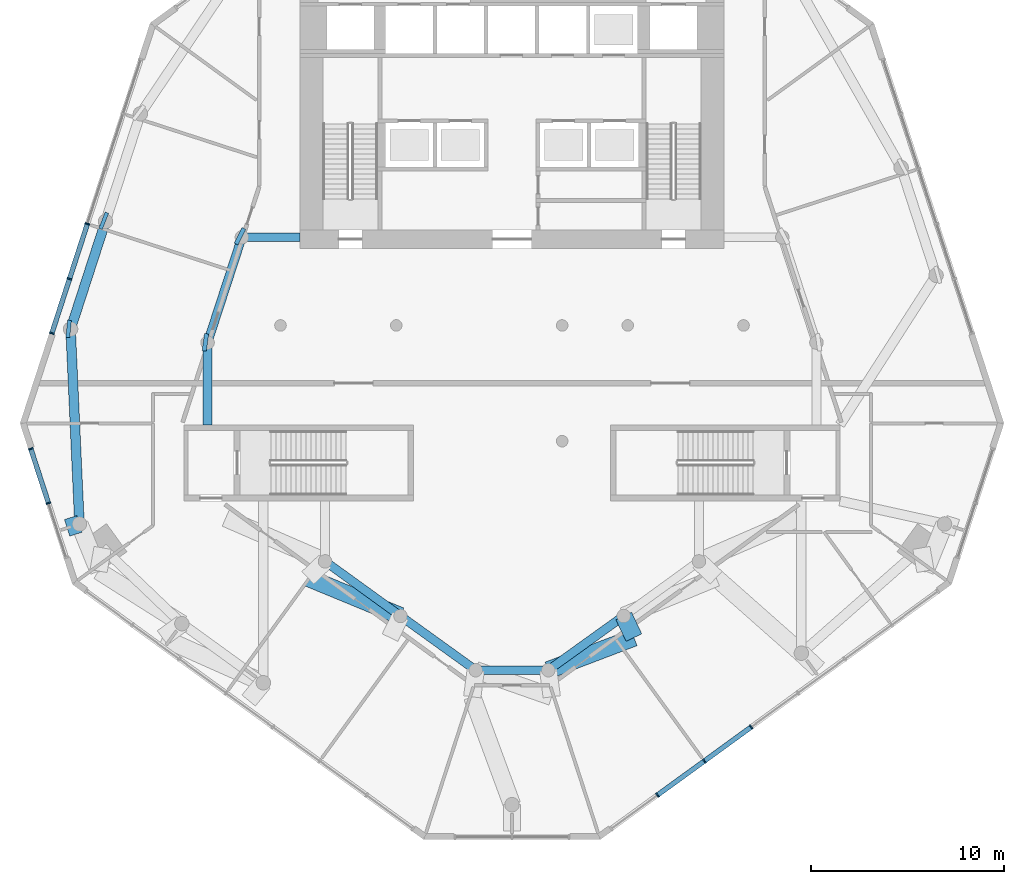
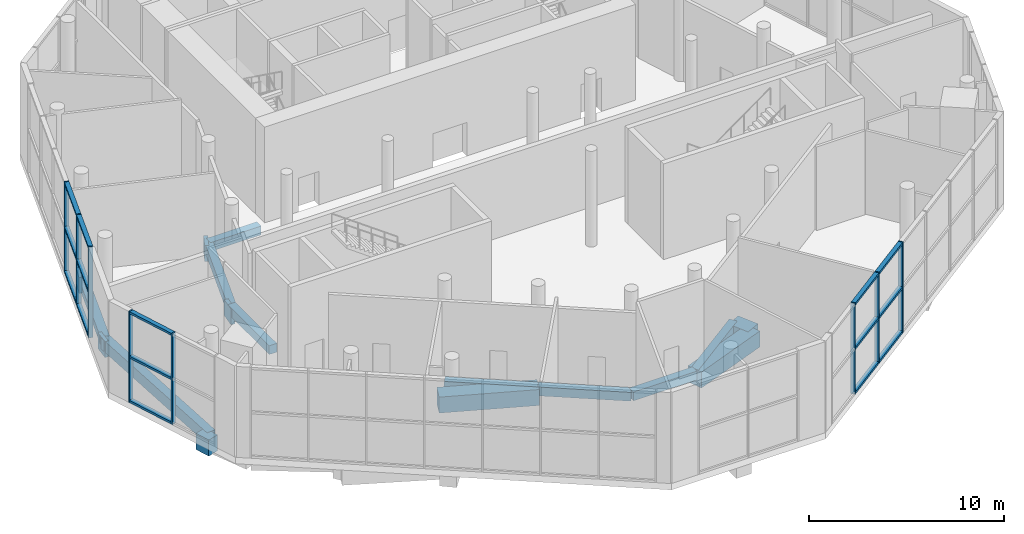
# One storey, part 3 of 14: 23 members, 17 beams, 3 elements without a shape of their own.
"""IFC4 building model written with IfcOpenShell, lengths in metres."""

from ifc_helpers import new_model, si_unit, direction, frame, origin, origin_2d, place, context, subcontext, project, spatial, rectangle, extrude, material, material_profile, profile_set, type_object, element, aggregate, save


model = new_model("IFC4")

# Units and contexts
model_context = context("Model", 3, precision=1e-05, world=origin(), true_north=direction((0.0, 1.0)))
body_context = subcontext(model_context, "Body", "Model", "MODEL_VIEW")
ifc_project = project(units=[si_unit("LENGTHUNIT", "METRE"), si_unit("AREAUNIT", "SQUARE_METRE"), si_unit("VOLUMEUNIT", "CUBIC_METRE"), si_unit("PLANEANGLEUNIT", "RADIAN"), si_unit("MASSUNIT", "GRAM", prefix="KILO")], contexts=[model_context])

# Site, building, storey
site_placement = place(None, origin())
site = spatial("IfcSite", under=ifc_project, at=site_placement, CompositionType="ELEMENT")
building_placement = place(site_placement, origin())
building = spatial("IfcBuilding", under=site, at=building_placement, Name="White Candle Pilgrim Tower", CompositionType="ELEMENT")
storey_placement = place(building_placement, frame((0.0, 0.0, 142.60009765625)))
storey = spatial("IfcBuildingStorey", under=building, at=storey_placement, Name="L32", CompositionType="ELEMENT", Elevation=142.60009765625)

# Curtain wall, members
ifc_material_1 = material(Name="Aluminium and glass", Category="aluminium")
curtain_wall_type = type_object("IfcCurtainWallType", Name="Curtain wall CW4 sky floor glazing", PredefinedType="NOTDEFINED", material=ifc_material_1)
curtain_wall_1_placement = place(storey_placement, origin())
curtain_wall_1 = element("IfcCurtainWall", 1, at=curtain_wall_1_placement, inside=storey, type_object=curtain_wall_type, Name="Curtain wall CW4 L32 W chamfer", PredefinedType="NOTDEFINED")
ifc_material_2 = material(Name="Aluminium", Category="aluminium")
ifc_material_profile_1 = material_profile(ifc_material_2, rectangle(XDim=0.25, YDim=0.080078125, at=origin_2d()), Name="CW4 mullion 80x250")
ifc_profile_set_1 = profile_set([ifc_material_profile_1], Name="Aluminium")
member_type_1 = type_object("IfcMemberType", Name="CW4 mullion 80x250", PredefinedType="MULLION", material=ifc_profile_set_1)
member_1_placement = place(storey_placement, frame((45.05712890625, 60.6064453125, 0.0), z_axis=(0.0, 0.0, 1.0), x_axis=(0.951056508674, 0.309017017829, 0.0)))
member_1 = element("IfcMember", 2, at=member_1_placement, type_object=member_type_1, Name="CW4 mullion 1", PredefinedType="MULLION", context=body_context, shape_type="SweptSolid", body=[
    extrude(rectangle(XDim=0.25, YDim=0.080078125, at=origin_2d()), origin(), (0.0, 0.0, 1.0), 5.699951171875),
])
member_2_placement = place(storey_placement, frame((45.971923828125, 57.791259765625, 0.0), z_axis=(0.0, 0.0, 1.0), x_axis=(0.951056508674, 0.309017017829, 0.0)))
member_2 = element("IfcMember", 3, at=member_2_placement, type_object=member_type_1, Name="CW4 mullion 2", PredefinedType="MULLION", context=body_context, shape_type="SweptSolid", body=[
    extrude(rectangle(XDim=0.25, YDim=0.080078125, at=origin_2d()), origin(), (0.0, 0.0, 1.0), 5.699951171875),
])

curtain_wall_2_placement = place(storey_placement, origin())
curtain_wall_2 = element("IfcCurtainWall", 4, at=curtain_wall_2_placement, inside=storey, type_object=curtain_wall_type, Name="Curtain wall CW4 L32 SE", PredefinedType="NOTDEFINED")
member_3_placement = place(storey_placement, frame((77.54248046875, 42.657958984375, 0.0), z_axis=(0.0, 0.0, 1.0), x_axis=(-0.587785245924, 0.809016999002, 0.0)))
member_3 = element("IfcMember", 5, at=member_3_placement, type_object=member_type_1, Name="CW4 mullion 2", PredefinedType="MULLION", context=body_context, shape_type="SweptSolid", body=[
    extrude(rectangle(XDim=0.25, YDim=0.080078125, at=origin_2d()), origin(), (0.0, 0.0, 1.0), 5.699951171875),
])
member_4_placement = place(storey_placement, frame((79.969482421875, 44.42138671875, 0.0), z_axis=(0.0, 0.0, 1.0), x_axis=(-0.587785245924, 0.809016999002, 0.0)))
member_4 = element("IfcMember", 6, at=member_4_placement, type_object=member_type_1, Name="CW4 mullion 3", PredefinedType="MULLION", context=body_context, shape_type="SweptSolid", body=[
    extrude(rectangle(XDim=0.25, YDim=0.080078125, at=origin_2d()), origin(), (0.0, 0.0, 1.0), 5.699951171875),
])
member_5_placement = place(storey_placement, frame((82.396728515625, 46.184814453125, 0.0), z_axis=(0.0, 0.0, 1.0), x_axis=(-0.587785245924, 0.809016999002, 0.0)))
member_5 = element("IfcMember", 7, at=member_5_placement, type_object=member_type_1, Name="CW4 mullion 4", PredefinedType="MULLION", context=body_context, shape_type="SweptSolid", body=[
    extrude(rectangle(XDim=0.25, YDim=0.080078125, at=origin_2d()), origin(), (0.0, 0.0, 1.0), 5.699951171875),
])

curtain_wall_3_placement = place(storey_placement, origin())
curtain_wall_3 = element("IfcCurtainWall", 8, at=curtain_wall_3_placement, inside=storey, type_object=curtain_wall_type, Name="Curtain wall CW4 L32 WNW", PredefinedType="NOTDEFINED")
member_6_placement = place(storey_placement, frame((47.98974609375, 72.263427734375, 0.0), z_axis=(0.0, 0.0, 1.0), x_axis=(0.951056511085, -0.30901701041, 0.0)))
member_6 = element("IfcMember", 9, at=member_6_placement, type_object=member_type_1, Name="CW4 mullion 4", PredefinedType="MULLION", context=body_context, shape_type="SweptSolid", body=[
    extrude(rectangle(XDim=0.25, YDim=0.080078125, at=origin_2d()), origin(), (0.0, 0.0, 1.0), 5.699951171875),
])
member_7_placement = place(storey_placement, frame((47.062744140625, 69.410400390625, 0.0), z_axis=(0.0, 0.0, 1.0), x_axis=(0.951056511085, -0.30901701041, 0.0)))
member_7 = element("IfcMember", 10, at=member_7_placement, type_object=member_type_1, Name="CW4 mullion 5", PredefinedType="MULLION", context=body_context, shape_type="SweptSolid", body=[
    extrude(rectangle(XDim=0.25, YDim=0.080078125, at=origin_2d()), origin(), (0.0, 0.0, 1.0), 5.699951171875),
])
member_8_placement = place(storey_placement, frame((46.14794921875, 66.59521484375, 0.0), z_axis=(0.0, 0.0, 1.0), x_axis=(0.951056511085, -0.30901701041, 0.0)))
member_8 = element("IfcMember", 11, at=member_8_placement, type_object=member_type_1, Name="CW4 mullion 6", PredefinedType="MULLION", context=body_context, shape_type="SweptSolid", body=[
    extrude(rectangle(XDim=0.25, YDim=0.080078125, at=origin_2d()), origin(), (0.0, 0.0, 1.0), 5.699951171875),
])

# Member
ifc_material_profile_2 = material_profile(ifc_material_2, rectangle(XDim=0.25, YDim=0.139892578125, at=origin_2d()), Name="CW4 transom 140x250")
ifc_profile_set_2 = profile_set([ifc_material_profile_2], Name="Aluminium")
member_type_2 = type_object("IfcMemberType", Name="CW4 transom 140x250", PredefinedType="USERDEFINED", material=ifc_profile_set_2)
member_9_placement = place(storey_placement, frame((45.069580078125, 60.568359375, 0.06982421875), z_axis=(0.308995979141, -0.951063344302, 0.0), x_axis=(0.951063344302, 0.308995979141, 0.0)))
member_9 = element("IfcMember", 12, at=member_9_placement, type_object=member_type_2, Name="CW4 transom 1.1", ObjectType="TRANSOM", PredefinedType="USERDEFINED", context=body_context, shape_type="SweptSolid", body=[
    extrude(rectangle(XDim=0.25, YDim=0.139892578125, at=origin_2d()), origin(), (0.0, 0.0, 1.0), 2.8798828125),
])

member_10_placement = place(storey_placement, frame((45.069580078125, 60.568359375, 2.849853515625), z_axis=(0.308995979141, -0.951063344302, 0.0), x_axis=(0.951063344302, 0.308995979141, 0.0)))
member_10 = element("IfcMember", 13, at=member_10_placement, type_object=member_type_2, Name="CW4 transom 1.2", ObjectType="TRANSOM", PredefinedType="USERDEFINED", context=body_context, shape_type="SweptSolid", body=[
    extrude(rectangle(XDim=0.25, YDim=0.139892578125, at=origin_2d()), origin(), (0.0, 0.0, 1.0), 2.8798828125),
])

member_11_placement = place(storey_placement, frame((45.069580078125, 60.568359375, 5.6298828125), z_axis=(0.308995979141, -0.951063344302, 0.0), x_axis=(0.951063344302, 0.308995979141, 0.0)))
member_11 = element("IfcMember", 14, at=member_11_placement, type_object=member_type_2, Name="CW4 transom 1.3", ObjectType="TRANSOM", PredefinedType="USERDEFINED", context=body_context, shape_type="SweptSolid", body=[
    extrude(rectangle(XDim=0.25, YDim=0.139892578125, at=origin_2d()), origin(), (0.0, 0.0, 1.0), 2.8798828125),
])

aggregate(curtain_wall_1, [member_1, member_2, member_9, member_10, member_11])

member_12_placement = place(storey_placement, frame((77.574951171875, 42.681640625, 0.06982421875), z_axis=(0.809018008275, 0.587783856777, 0.0), x_axis=(-0.587783856777, 0.809018008275, 0.0)))
member_12 = element("IfcMember", 15, at=member_12_placement, type_object=member_type_2, Name="CW4 transom 2.1", ObjectType="TRANSOM", PredefinedType="USERDEFINED", context=body_context, shape_type="SweptSolid", body=[
    extrude(rectangle(XDim=0.25, YDim=0.139892578125, at=origin_2d()), origin(), (0.0, 0.0, 1.0), 2.919921875),
])

member_13_placement = place(storey_placement, frame((77.574951171875, 42.681640625, 2.849853515625), z_axis=(0.809018008275, 0.587783856777, 0.0), x_axis=(-0.587783856777, 0.809018008275, 0.0)))
member_13 = element("IfcMember", 16, at=member_13_placement, type_object=member_type_2, Name="CW4 transom 2.2", ObjectType="TRANSOM", PredefinedType="USERDEFINED", context=body_context, shape_type="SweptSolid", body=[
    extrude(rectangle(XDim=0.25, YDim=0.139892578125, at=origin_2d()), origin(), (0.0, 0.0, 1.0), 2.919921875),
])

member_14_placement = place(storey_placement, frame((77.574951171875, 42.681640625, 5.6298828125), z_axis=(0.809018008275, 0.587783856777, 0.0), x_axis=(-0.587783856777, 0.809018008275, 0.0)))
member_14 = element("IfcMember", 17, at=member_14_placement, type_object=member_type_2, Name="CW4 transom 2.3", ObjectType="TRANSOM", PredefinedType="USERDEFINED", context=body_context, shape_type="SweptSolid", body=[
    extrude(rectangle(XDim=0.25, YDim=0.139892578125, at=origin_2d()), origin(), (0.0, 0.0, 1.0), 2.919921875),
])

member_15_placement = place(storey_placement, frame((80.001953125, 44.44482421875, 0.06982421875), z_axis=(0.809018008275, 0.587783856777, 0.0), x_axis=(-0.587783856777, 0.809018008275, 0.0)))
member_15 = element("IfcMember", 18, at=member_15_placement, type_object=member_type_2, Name="CW4 transom 3.1", ObjectType="TRANSOM", PredefinedType="USERDEFINED", context=body_context, shape_type="SweptSolid", body=[
    extrude(rectangle(XDim=0.25, YDim=0.139892578125, at=origin_2d()), origin(), (0.0, 0.0, 1.0), 2.919921875),
])

member_16_placement = place(storey_placement, frame((80.001953125, 44.44482421875, 2.849853515625), z_axis=(0.809018008275, 0.587783856777, 0.0), x_axis=(-0.587783856777, 0.809018008275, 0.0)))
member_16 = element("IfcMember", 19, at=member_16_placement, type_object=member_type_2, Name="CW4 transom 3.2", ObjectType="TRANSOM", PredefinedType="USERDEFINED", context=body_context, shape_type="SweptSolid", body=[
    extrude(rectangle(XDim=0.25, YDim=0.139892578125, at=origin_2d()), origin(), (0.0, 0.0, 1.0), 2.919921875),
])

member_17_placement = place(storey_placement, frame((80.001953125, 44.44482421875, 5.6298828125), z_axis=(0.809018008275, 0.587783856777, 0.0), x_axis=(-0.587783856777, 0.809018008275, 0.0)))
member_17 = element("IfcMember", 20, at=member_17_placement, type_object=member_type_2, Name="CW4 transom 3.3", ObjectType="TRANSOM", PredefinedType="USERDEFINED", context=body_context, shape_type="SweptSolid", body=[
    extrude(rectangle(XDim=0.25, YDim=0.139892578125, at=origin_2d()), origin(), (0.0, 0.0, 1.0), 2.919921875),
])

aggregate(curtain_wall_2, [member_3, member_4, member_5, member_12, member_13, member_14, member_15, member_16, member_17])

member_18_placement = place(storey_placement, frame((47.9775390625, 72.225341796875, 0.06982421875), z_axis=(-0.30904447678, -0.951047586281, 0.0), x_axis=(0.951047586281, -0.30904447678, 0.0)))
member_18 = element("IfcMember", 21, at=member_18_placement, type_object=member_type_2, Name="CW4 transom 4.1", ObjectType="TRANSOM", PredefinedType="USERDEFINED", context=body_context, shape_type="SweptSolid", body=[
    extrude(rectangle(XDim=0.25, YDim=0.139892578125, at=origin_2d()), origin(), (0.0, 0.0, 1.0), 2.919677734375),
])

member_19_placement = place(storey_placement, frame((47.9775390625, 72.225341796875, 2.849853515625), z_axis=(-0.30904447678, -0.951047586281, 0.0), x_axis=(0.951047586281, -0.30904447678, 0.0)))
member_19 = element("IfcMember", 22, at=member_19_placement, type_object=member_type_2, Name="CW4 transom 4.2", ObjectType="TRANSOM", PredefinedType="USERDEFINED", context=body_context, shape_type="SweptSolid", body=[
    extrude(rectangle(XDim=0.25, YDim=0.139892578125, at=origin_2d()), origin(), (0.0, 0.0, 1.0), 2.919677734375),
])

member_20_placement = place(storey_placement, frame((47.9775390625, 72.225341796875, 5.6298828125), z_axis=(-0.30904447678, -0.951047586281, 0.0), x_axis=(0.951047586281, -0.30904447678, 0.0)))
member_20 = element("IfcMember", 23, at=member_20_placement, type_object=member_type_2, Name="CW4 transom 4.3", ObjectType="TRANSOM", PredefinedType="USERDEFINED", context=body_context, shape_type="SweptSolid", body=[
    extrude(rectangle(XDim=0.25, YDim=0.139892578125, at=origin_2d()), origin(), (0.0, 0.0, 1.0), 2.919677734375),
])

member_21_placement = place(storey_placement, frame((47.05029296875, 69.372314453125, 0.06982421875), z_axis=(-0.308995979141, -0.951063344302, 0.0), x_axis=(0.951063344302, -0.308995979141, 0.0)))
member_21 = element("IfcMember", 24, at=member_21_placement, type_object=member_type_2, Name="CW4 transom 5.1", ObjectType="TRANSOM", PredefinedType="USERDEFINED", context=body_context, shape_type="SweptSolid", body=[
    extrude(rectangle(XDim=0.25, YDim=0.139892578125, at=origin_2d()), origin(), (0.0, 0.0, 1.0), 2.8798828125),
])

member_22_placement = place(storey_placement, frame((47.05029296875, 69.372314453125, 2.849853515625), z_axis=(-0.308995979141, -0.951063344302, 0.0), x_axis=(0.951063344302, -0.308995979141, 0.0)))
member_22 = element("IfcMember", 25, at=member_22_placement, type_object=member_type_2, Name="CW4 transom 5.2", ObjectType="TRANSOM", PredefinedType="USERDEFINED", context=body_context, shape_type="SweptSolid", body=[
    extrude(rectangle(XDim=0.25, YDim=0.139892578125, at=origin_2d()), origin(), (0.0, 0.0, 1.0), 2.8798828125),
])

member_23_placement = place(storey_placement, frame((47.05029296875, 69.372314453125, 5.6298828125), z_axis=(-0.308995979141, -0.951063344302, 0.0), x_axis=(0.951063344302, -0.308995979141, 0.0)))
member_23 = element("IfcMember", 26, at=member_23_placement, type_object=member_type_2, Name="CW4 transom 5.3", ObjectType="TRANSOM", PredefinedType="USERDEFINED", context=body_context, shape_type="SweptSolid", body=[
    extrude(rectangle(XDim=0.25, YDim=0.139892578125, at=origin_2d()), origin(), (0.0, 0.0, 1.0), 2.8798828125),
])

aggregate(curtain_wall_3, [member_6, member_7, member_8, member_18, member_19, member_20, member_21, member_22, member_23])

# Beams
ifc_material_3 = material(Name="Concrete C50/60", Category="concrete")
ifc_material_profile_3 = material_profile(ifc_material_3, rectangle(XDim=0.449951171875, YDim=0.550048828125, at=origin_2d()), Name="RC-BM 450x550")
ifc_profile_set_3 = profile_set([ifc_material_profile_3], Name="Concrete C50/60")
beam_type_1 = type_object("IfcBeamType", Name="Ring beam RC-BM 450x550 C50/60", PredefinedType="BEAM", material=ifc_profile_set_3)
beam_1_placement = place(storey_placement, frame((60.31005859375, 54.77001953125, -0.675048828125), z_axis=(0.810063902298, -0.586341601963, 0.0), x_axis=(0.586341601963, 0.810063902298, 0.0)))
element("IfcBeam", 27, at=beam_1_placement, inside=storey, type_object=beam_type_1, Name="L32 ring beam R01", PredefinedType="BEAM", context=body_context, shape_type="SweptSolid", body=[
    extrude(rectangle(XDim=0.449951171875, YDim=0.550048828125, at=origin_2d()), origin(), (0.0, 0.0, 1.0), 4.82666015625),
])
beam_2_placement = place(storey_placement, frame((64.219970703125, 51.93994140625, -0.675048828125), z_axis=(0.811341633952, -0.584572282115, 0.0), x_axis=(0.584572282115, 0.811341633952, 0.0)))
element("IfcBeam", 28, at=beam_2_placement, inside=storey, type_object=beam_type_1, Name="L32 ring beam R02", PredefinedType="BEAM", context=body_context, shape_type="SweptSolid", body=[
    extrude(rectangle(XDim=0.449951171875, YDim=0.550048828125, at=origin_2d()), origin(), (0.0, 0.0, 1.0), 4.80712890625),
])
beam_3_placement = place(storey_placement, frame((68.1201171875, 49.1298828125, -0.675048828125), z_axis=(1.0, 0.0, 0.0), x_axis=(0.0, 1.0, 0.0)))
element("IfcBeam", 29, at=beam_3_placement, inside=storey, type_object=beam_type_1, Name="L32 ring beam R03", PredefinedType="BEAM", context=body_context, shape_type="SweptSolid", body=[
    extrude(rectangle(XDim=0.449951171875, YDim=0.550048828125, at=origin_2d()), origin(), (0.0, 0.0, 1.0), 3.759765625),
])
beam_4_placement = place(storey_placement, frame((71.8798828125, 49.1298828125, -0.675048828125), z_axis=(0.812051413305, 0.583585899547, 0.0), x_axis=(-0.583585899547, 0.812051413305, 0.0)))
element("IfcBeam", 30, at=beam_4_placement, inside=storey, type_object=beam_type_1, Name="L32 ring beam R04", PredefinedType="BEAM", context=body_context, shape_type="SweptSolid", body=[
    extrude(rectangle(XDim=0.449951171875, YDim=0.550048828125, at=origin_2d()), origin(), (0.0, 0.0, 1.0), 4.815185546875),
])
beam_5_placement = place(storey_placement, frame((56.0, 71.570068359375, -0.675048828125), z_axis=(1.0, 0.0, 0.0), x_axis=(0.0, 1.0, 0.0)))
element("IfcBeam", 31, at=beam_5_placement, inside=storey, type_object=beam_type_1, Name="L32 ring beam R10", PredefinedType="BEAM", context=body_context, shape_type="SweptSolid", body=[
    extrude(rectangle(XDim=0.449951171875, YDim=0.550048828125, at=origin_2d()), origin(), (0.0, 0.0, 1.0), 3.0),
])
beam_6_placement = place(storey_placement, frame((56.0, 71.570068359375, -0.675048828125), z_axis=(-0.309958782594, -0.950749995053, 0.0), x_axis=(0.950749995053, -0.309958782594, 0.0)))
element("IfcBeam", 32, at=beam_6_placement, inside=storey, type_object=beam_type_1, Name="L32 ring beam R11", PredefinedType="BEAM", context=body_context, shape_type="SweptSolid", body=[
    extrude(rectangle(XDim=0.449951171875, YDim=0.550048828125, at=origin_2d()), origin(), (0.0, 0.0, 1.0), 5.74267578125),
])
beam_7_placement = place(storey_placement, frame((54.219970703125, 66.110107421875, -0.675048828125), z_axis=(0.0, -1.0, 0.0), x_axis=(1.0, 0.0, 0.0)))
element("IfcBeam", 33, at=beam_7_placement, inside=storey, type_object=beam_type_1, Name="L32 ring beam R12", PredefinedType="BEAM", context=body_context, shape_type="SweptSolid", body=[
    extrude(rectangle(XDim=0.449951171875, YDim=0.550048828125, at=origin_2d()), origin(), (0.0, 0.0, 1.0), 4.260009765625),
])
ifc_material_profile_4 = material_profile(ifc_material_3, rectangle(XDim=0.5, YDim=0.449951171875, at=origin_2d()), Name="RC-BM 500x450")
ifc_profile_set_4 = profile_set([ifc_material_profile_4], Name="Concrete C50/60")
beam_type_2 = type_object("IfcBeamType", Name="Spandrel beam RC-BM 500x450 C50/60", PredefinedType="BEAM", material=ifc_profile_set_4)
beam_8_placement = place(storey_placement, frame((48.929931640625, 72.389892578125, -0.625), z_axis=(-0.308526071672, -0.951215886694, 0.0), x_axis=(0.951215886694, -0.308526071672, 0.0)))
element("IfcBeam", 34, at=beam_8_placement, inside=storey, type_object=beam_type_2, Name="L32 spandrel beam T16", PredefinedType="BEAM", context=body_context, shape_type="SweptSolid", body=[
    extrude(rectangle(XDim=0.5, YDim=0.449951171875, at=origin_2d()), origin(), (0.0, 0.0, 1.0), 5.865966796875),
])
ifc_material_profile_5 = material_profile(ifc_material_3, rectangle(XDim=0.5, YDim=0.699951171875, at=origin_2d()), Name="RC-BM 500x700")
ifc_profile_set_5 = profile_set([ifc_material_profile_5], Name="Concrete C50/60")
beam_type_3 = type_object("IfcBeamType", Name="Spandrel beam RC-BM 500x700 C50/60", PredefinedType="BEAM", material=ifc_profile_set_5)
beam_9_placement = place(storey_placement, frame((47.1201171875, 66.81005859375, -0.75), z_axis=(0.045493096603, -0.998964653109, 0.0), x_axis=(0.998964653109, 0.045493096603, 0.0)))
element("IfcBeam", 35, at=beam_9_placement, inside=storey, type_object=beam_type_3, Name="L32 spandrel beam T17", PredefinedType="BEAM", context=body_context, shape_type="SweptSolid", body=[
    extrude(rectangle(XDim=0.5, YDim=0.699951171875, at=origin_2d()), origin(), (0.0, 0.0, 1.0), 10.110595703125),
])
ifc_material_profile_6 = material_profile(ifc_material_3, rectangle(XDim=0.89990234375, YDim=1.0, at=origin_2d()), Name="RC-BM 900x1000")
ifc_profile_set_6 = profile_set([ifc_material_profile_6], Name="Concrete C50/60")
beam_type_4 = type_object("IfcBeamType", Name="Transfer girder RC-BM 900x1000 C50/60", PredefinedType="BEAM", material=ifc_profile_set_6)
beam_10_placement = place(storey_placement, frame((71.8798828125, 49.1298828125, -0.900146484375), z_axis=(0.934579691975, 0.355753846569, 0.0), x_axis=(-0.355753846569, 0.934579691975, 0.0)))
element("IfcBeam", 36, at=beam_10_placement, inside=storey, type_object=beam_type_4, Name="L32 transfer girder X04", PredefinedType="BEAM", context=body_context, shape_type="SweptSolid", body=[
    extrude(rectangle(XDim=0.89990234375, YDim=1.0, at=origin_2d()), origin(), (0.0, 0.0, 1.0), 4.7509765625),
])
beam_11_placement = place(storey_placement, frame((64.219970703125, 51.93994140625, -0.900146484375), z_axis=(-0.924441294514, 0.381324393394, 0.0), x_axis=(-0.381324393394, -0.924441294514, 0.0)))
element("IfcBeam", 37, at=beam_11_placement, inside=storey, type_object=beam_type_4, Name="L32 transfer girder X10", PredefinedType="BEAM", context=body_context, shape_type="SweptSolid", body=[
    extrude(rectangle(XDim=0.89990234375, YDim=1.0, at=origin_2d()), origin(), (0.0, 0.0, 1.0), 5.1923828125),
])
beam_12_placement = place(storey_placement, frame((76.320068359375, 50.820068359375, -0.900146484375), z_axis=(-0.42779832498, 0.90387421312, 0.0), x_axis=(-0.90387421312, -0.42779832498, 0.0)))
element("IfcBeam", 38, at=beam_12_placement, inside=storey, type_object=beam_type_4, Name="L32 transfer girder X11", PredefinedType="BEAM", context=body_context, shape_type="SweptSolid", body=[
    extrude(rectangle(XDim=0.89990234375, YDim=1.0, at=origin_2d()), origin(), (0.0, 0.0, 1.0), 1.239013671875),
])
beam_13_placement = place(storey_placement, frame((46.93994140625, 56.510009765625, -0.900146484375), z_axis=(0.954518835655, 0.29815062029, 0.0), x_axis=(-0.29815062029, 0.954518835655, 0.0)))
element("IfcBeam", 39, at=beam_13_placement, inside=storey, type_object=beam_type_4, Name="L32 transfer girder X23", PredefinedType="BEAM", context=body_context, shape_type="SweptSolid", body=[
    extrude(rectangle(XDim=0.89990234375, YDim=1.0, at=origin_2d()), origin(), (0.0, 0.0, 1.0), 0.670654296875),
])
beam_14_placement = place(storey_placement, frame((55.800048828125, 71.669921875, -0.900146484375), z_axis=(0.894645556935, -0.446776596809, 0.0), x_axis=(0.446776596809, 0.894645556935, 0.0)))
element("IfcBeam", 40, at=beam_14_placement, inside=storey, type_object=beam_type_4, Name="L32 transfer girder X27", PredefinedType="BEAM", context=body_context, shape_type="SweptSolid", body=[
    extrude(rectangle(XDim=0.89990234375, YDim=1.0, at=origin_2d()), origin(), (0.0, 0.0, 1.0), 0.223388671875),
])
beam_15_placement = place(storey_placement, frame((54.0, 66.139892578125, -0.900146484375), z_axis=(0.990956891384, -0.134180622363, 0.0), x_axis=(0.134180622363, 0.990956891384, 0.0)))
element("IfcBeam", 41, at=beam_15_placement, inside=storey, type_object=beam_type_4, Name="L32 transfer girder X28", PredefinedType="BEAM", context=body_context, shape_type="SweptSolid", body=[
    extrude(rectangle(XDim=0.89990234375, YDim=1.0, at=origin_2d()), origin(), (0.0, 0.0, 1.0), 0.221923828125),
])
beam_16_placement = place(storey_placement, frame((46.919921875, 66.830078125, -0.900146484375), z_axis=(0.99503719021, -0.099503719021, 0.0), x_axis=(0.099503719021, 0.99503719021, 0.0)))
element("IfcBeam", 42, at=beam_16_placement, inside=storey, type_object=beam_type_4, Name="L32 transfer girder X31", PredefinedType="BEAM", context=body_context, shape_type="SweptSolid", body=[
    extrude(rectangle(XDim=0.89990234375, YDim=1.0, at=origin_2d()), origin(), (0.0, 0.0, 1.0), 0.201171875),
])
beam_17_placement = place(storey_placement, frame((48.75, 72.4599609375, -0.900146484375), z_axis=(0.931838477209, -0.362873328302, 0.0), x_axis=(0.362873328302, 0.931838477209, 0.0)))
element("IfcBeam", 43, at=beam_17_placement, inside=storey, type_object=beam_type_4, Name="L32 transfer girder X33", PredefinedType="BEAM", context=body_context, shape_type="SweptSolid", body=[
    extrude(rectangle(XDim=0.89990234375, YDim=1.0, at=origin_2d()), origin(), (0.0, 0.0, 1.0), 0.193115234375),
])

save(model, "model.ifc")
